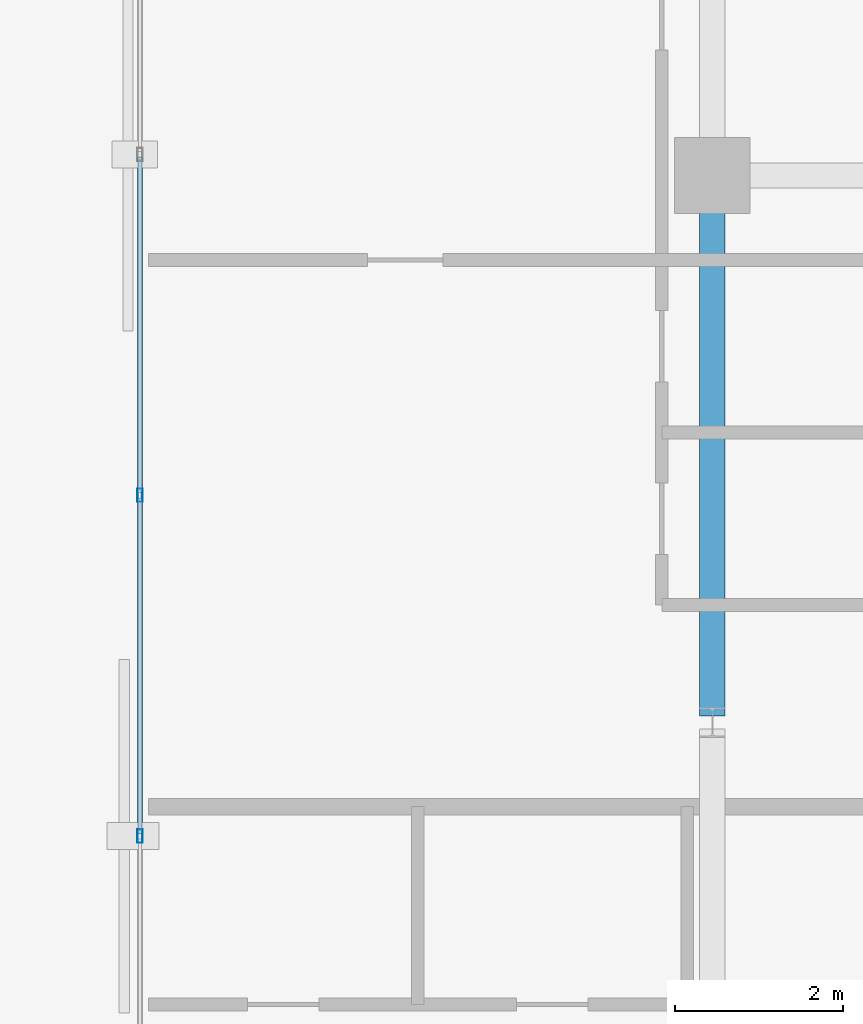
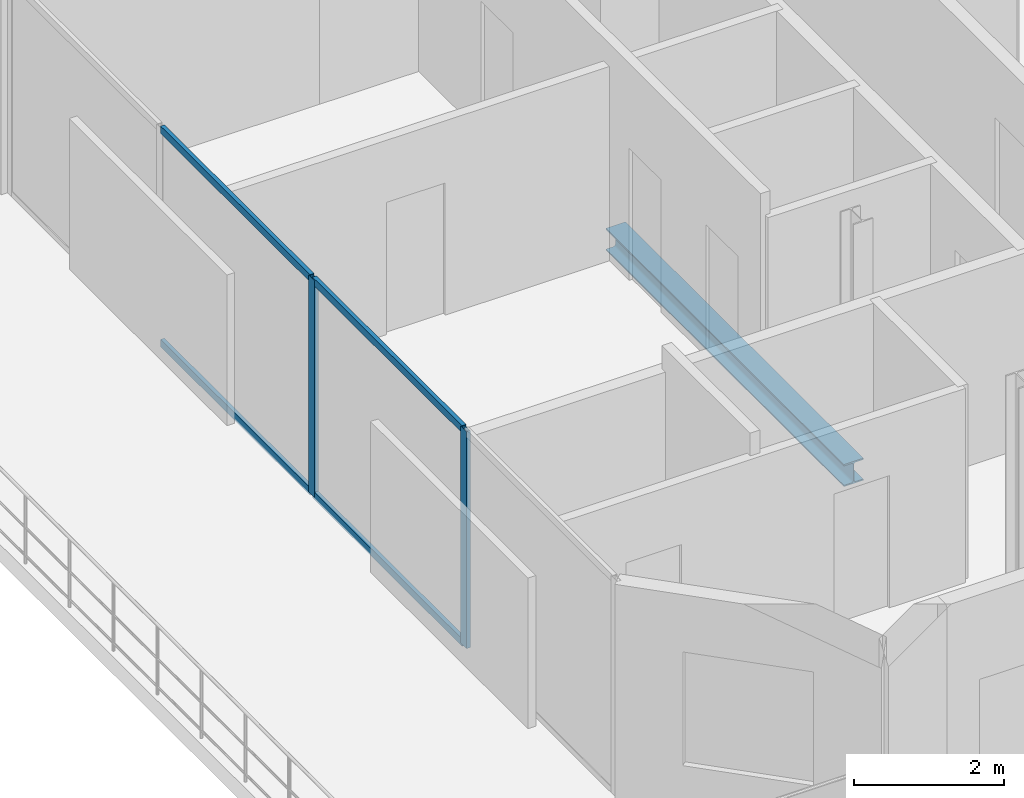
# One storey, part 4 of 18: 6 members, 1 beam, 1 element without a shape of its own.
"""IFC4 building model written with IfcOpenShell, lengths in metres."""

from ifc_helpers import new_model, si_unit, direction, frame, origin, origin_2d, place, context, subcontext, project, spatial, hollow_rectangle, i_section, extrude, material, layer, layer_set, material_profile, profile_set, type_object, element, aggregate, save


model = new_model("IFC4")

# Units and contexts
model_context = context("Model", 3, precision=1e-05, world=origin(), true_north=direction((0.0, 1.0)))
body_context = subcontext(model_context, "Body", "Model", "MODEL_VIEW")
ifc_project = project(units=[si_unit("LENGTHUNIT", "METRE"), si_unit("AREAUNIT", "SQUARE_METRE"), si_unit("VOLUMEUNIT", "CUBIC_METRE"), si_unit("PLANEANGLEUNIT", "RADIAN"), si_unit("MASSUNIT", "GRAM", prefix="KILO")], contexts=[model_context])

# Site, building, storey
site_placement = place(None, origin())
site = spatial("IfcSite", under=ifc_project, at=site_placement, CompositionType="ELEMENT")
building_placement = place(site_placement, origin())
building = spatial("IfcBuilding", under=site, at=building_placement, Name="Catumbela Crestline Tower", CompositionType="ELEMENT")
storey_placement = place(building_placement, frame((0.0, 0.0, 264.0)))
storey = spatial("IfcBuildingStorey", under=building, at=storey_placement, Name="L68", CompositionType="ELEMENT", Elevation=264.0)

# Beam
ifc_material_1 = material(Name="Structural steel S355J2", Category="steel")
ifc_material_profile_1 = material_profile(ifc_material_1, i_section(OverallWidth=0.3, OverallDepth=0.36, WebThickness=0.0125, FlangeThickness=0.0225, FilletRadius=0.027, at=origin_2d()), Name="HEB 360")
ifc_profile_set_1 = profile_set([ifc_material_profile_1], Name="Structural steel S355J2")
beam_type = type_object("IfcBeamType", Name="BG-HEB360", PredefinedType="BEAM", material=ifc_profile_set_1)
beam_placement = place(storey_placement, frame((16.0, 18.08, -0.44), z_axis=(0.0, 1.0, 0.0), x_axis=(-1.0, 0.0, 0.0)))
element("IfcBeam", 1, at=beam_placement, inside=storey, type_object=beam_type, Name="L68 Beam BM-L68-WNS19", PredefinedType="BEAM", context=body_context, shape_type="SweptSolid", body=[
    extrude(i_section(OverallWidth=0.3, OverallDepth=0.36, WebThickness=0.0125, FlangeThickness=0.0225, FilletRadius=0.027, at=origin_2d()), origin(), (0.0, 0.0, 1.0), 6.34),
])

# Curtain wall, members
ifc_material_2 = material(Name="Aluminium alloy AW-6060-T66", Category="aluminium")
ifc_layer = layer(ifc_material_2, 0.18, Name="Aluminium alloy AW-6060-T66")
ifc_layer_set = layer_set([ifc_layer], Name="Aluminium alloy AW-6060-T66")
curtain_wall_type = type_object("IfcCurtainWallType", Name="CWU-Z4", PredefinedType="USERDEFINED", material=ifc_layer_set)
curtain_wall_placement = place(storey_placement, origin())
curtain_wall = element("IfcCurtainWall", 2, at=curtain_wall_placement, inside=storey, type_object=curtain_wall_type, Name="L68 Unitised Curtain Wall CW-L68-E9S2", ObjectType="UNITISED", PredefinedType="USERDEFINED")
ifc_material_profile_2 = material_profile(ifc_material_2, hollow_rectangle(XDim=0.06, YDim=0.16, WallThickness=0.004, at=origin_2d()), Name="ALU 160x60x4")
ifc_profile_set_2 = profile_set([ifc_material_profile_2], Name="Aluminium alloy AW-6060-T66")
member_type_1 = type_object("IfcMemberType", Name="MUL-160X60", PredefinedType="MULLION", material=ifc_profile_set_2)
member_1_placement = place(storey_placement, frame((9.2, 20.7, 0.0), z_axis=(0.0, 0.0, 1.0), x_axis=(1.0, 0.0, 0.0)))
member_1 = element("IfcMember", 3, at=member_1_placement, type_object=member_type_1, Name="CWU-Z4 mullion 3", PredefinedType="MULLION", context=body_context, shape_type="SweptSolid", body=[
    extrude(hollow_rectangle(XDim=0.06, YDim=0.16, WallThickness=0.004, at=origin_2d()), origin(), (0.0, 0.0, 1.0), 3.53),
])
member_2_placement = place(storey_placement, frame((9.2, 16.65, 0.0), z_axis=(0.0, 0.0, 1.0), x_axis=(1.0, 0.0, 0.0)))
member_2 = element("IfcMember", 4, at=member_2_placement, type_object=member_type_1, Name="CWU-Z4 mullion 4", PredefinedType="MULLION", context=body_context, shape_type="SweptSolid", body=[
    extrude(hollow_rectangle(XDim=0.06, YDim=0.16, WallThickness=0.004, at=origin_2d()), origin(), (0.0, 0.0, 1.0), 3.53),
])
ifc_material_profile_3 = material_profile(ifc_material_2, hollow_rectangle(XDim=0.06, YDim=0.12, WallThickness=0.0035, at=origin_2d()), Name="ALU 120x60x3.5")
ifc_profile_set_3 = profile_set([ifc_material_profile_3], Name="Aluminium alloy AW-6060-T66")
member_type_2 = type_object("IfcMemberType", Name="TRN-120X60", PredefinedType="USERDEFINED", material=ifc_profile_set_3)
member_3_placement = place(storey_placement, frame((9.2, 24.7175, 0.03), z_axis=(0.0, -1.0, 0.0), x_axis=(1.0, 0.0, 0.0)))
member_3 = element("IfcMember", 5, at=member_3_placement, type_object=member_type_2, Name="CWU-Z4 transom 2.1", ObjectType="TRANSOM", PredefinedType="USERDEFINED", context=body_context, shape_type="SweptSolid", body=[
    extrude(hollow_rectangle(XDim=0.06, YDim=0.12, WallThickness=0.0035, at=origin_2d()), origin(), (0.0, 0.0, 1.0), 3.985),
])
member_4_placement = place(storey_placement, frame((9.2, 24.7175, 3.5), z_axis=(0.0, -1.0, 0.0), x_axis=(1.0, 0.0, 0.0)))
member_4 = element("IfcMember", 6, at=member_4_placement, type_object=member_type_2, Name="CWU-Z4 transom 2.2", ObjectType="TRANSOM", PredefinedType="USERDEFINED", context=body_context, shape_type="SweptSolid", body=[
    extrude(hollow_rectangle(XDim=0.06, YDim=0.12, WallThickness=0.0035, at=origin_2d()), origin(), (0.0, 0.0, 1.0), 3.985),
])
member_5_placement = place(storey_placement, frame((9.2, 20.6675, 0.03), z_axis=(0.0, -1.0, 0.0), x_axis=(1.0, 0.0, 0.0)))
member_5 = element("IfcMember", 7, at=member_5_placement, type_object=member_type_2, Name="CWU-Z4 transom 3.1", ObjectType="TRANSOM", PredefinedType="USERDEFINED", context=body_context, shape_type="SweptSolid", body=[
    extrude(hollow_rectangle(XDim=0.06, YDim=0.12, WallThickness=0.0035, at=origin_2d()), origin(), (0.0, 0.0, 1.0), 3.985),
])
member_6_placement = place(storey_placement, frame((9.2, 20.6675, 3.5), z_axis=(0.0, -1.0, 0.0), x_axis=(1.0, 0.0, 0.0)))
member_6 = element("IfcMember", 8, at=member_6_placement, type_object=member_type_2, Name="CWU-Z4 transom 3.2", ObjectType="TRANSOM", PredefinedType="USERDEFINED", context=body_context, shape_type="SweptSolid", body=[
    extrude(hollow_rectangle(XDim=0.06, YDim=0.12, WallThickness=0.0035, at=origin_2d()), origin(), (0.0, 0.0, 1.0), 3.985),
])
aggregate(curtain_wall, [member_1, member_2, member_3, member_4, member_5, member_6])

save(model, "model.ifc")
